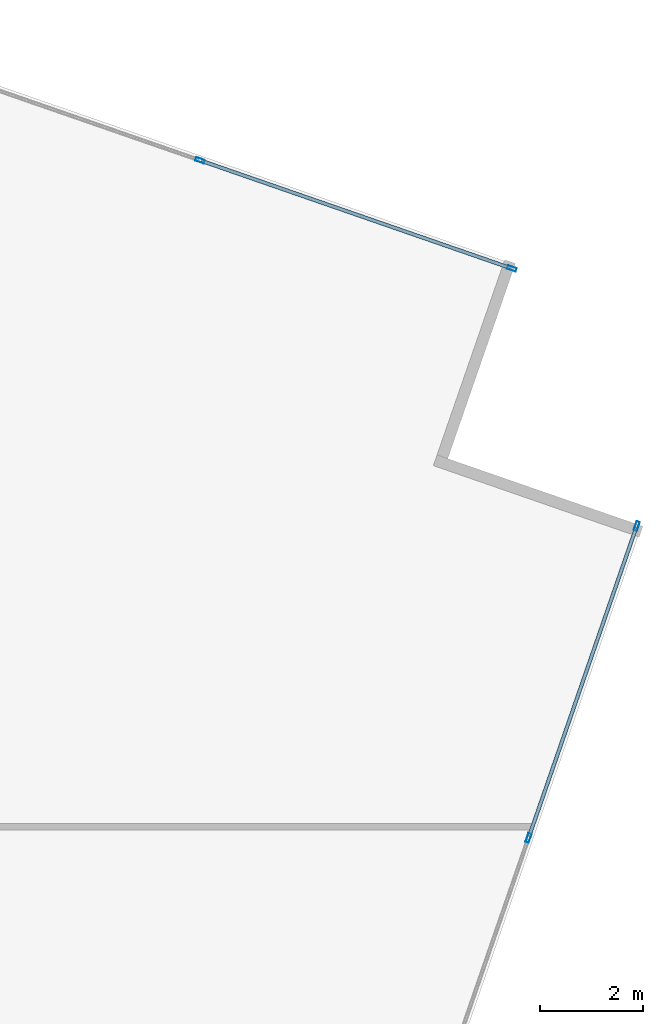
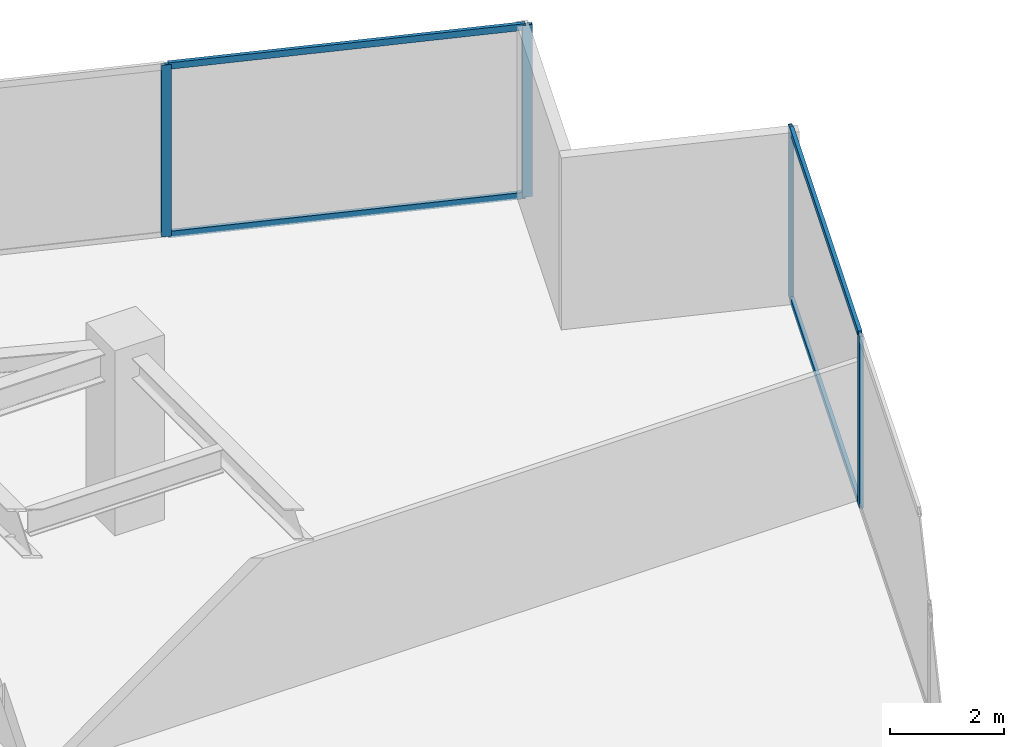
# One storey, part 20 of 27: 8 members, 2 elements without a shape of their own.
"""IFC4 building model written with IfcOpenShell, lengths in metres."""

from ifc_helpers import new_model, si_unit, direction, frame, origin, origin_2d, place, context, subcontext, project, spatial, hollow_rectangle, extrude, source, transform, mapped, material, material_profile, profile_set, type_object, type_shapes, element, aggregate, save


model = new_model("IFC4")

# Units and contexts
model_context = context("Model", 3, precision=1e-05, world=origin(), true_north=direction((0.0, 1.0)))
body_context = subcontext(model_context, "Body", "Model", "MODEL_VIEW")
ifc_project = project(units=[si_unit("LENGTHUNIT", "METRE"), si_unit("AREAUNIT", "SQUARE_METRE"), si_unit("VOLUMEUNIT", "CUBIC_METRE"), si_unit("PLANEANGLEUNIT", "RADIAN"), si_unit("MASSUNIT", "GRAM", prefix="KILO")], contexts=[model_context])

# Site, building, storey
site_placement = place(None, origin())
site = spatial("IfcSite", under=ifc_project, at=site_placement, CompositionType="ELEMENT")
building_placement = place(site_placement, origin())
building = spatial("IfcBuilding", under=site, at=building_placement, Name="Krantzveldt Concourse Tower", CompositionType="ELEMENT")
storey_placement = place(building_placement, frame((0.0, 0.0, 121.64990234375)))
storey = spatial("IfcBuildingStorey", under=building, at=storey_placement, Name="L29", CompositionType="ELEMENT", Elevation=121.64990234375)

# Curtain wall, members
ifc_material = material(Name="Anodised aluminium 6063-T6", Category="aluminium")
curtain_wall_type = type_object("IfcCurtainWallType", Name="CW2", PredefinedType="USERDEFINED", material=ifc_material)
curtain_wall_1_placement = place(storey_placement, origin())
curtain_wall_1 = element("IfcCurtainWall", 1, at=curtain_wall_1_placement, inside=storey, type_object=curtain_wall_type, Name="CW-L29-F07", ObjectType="UNITISED CURTAIN WALL", PredefinedType="USERDEFINED")
ifc_material_profile_1 = material_profile(ifc_material, hollow_rectangle(XDim=0.070068359375, YDim=0.179931640625, WallThickness=0.0048828125, at=origin_2d()), Name="Anodised aluminium 6063-T6", Category="aluminium")
ifc_profile_set_1 = profile_set([ifc_material_profile_1], Name="Anodised aluminium 6063-T6 - ALU-MULL 180x70x5")
member_type_1 = type_object("IfcMemberType", Name="CW-MUL-180", PredefinedType="MULLION", material=ifc_profile_set_1)
shared_shape_1 = source(origin(), body_context, "Body", "SweptSolid", [
    extrude(hollow_rectangle(XDim=0.070068359375, YDim=0.179931640625, WallThickness=0.0048828125, at=origin_2d()), origin(), (0.0, 0.0, 1.0), 3.670166015625),
])
type_shapes(member_type_1, [shared_shape_1])
member_1_placement = place(storey_placement, frame((62.2607421875, 31.282470703125, 0.0), z_axis=(0.0, 0.0, 1.0), x_axis=(-0.944806041446, 0.32763019404, 0.0)))
member_1 = element("IfcMember", 2, at=member_1_placement, type_object=member_type_1, Name="CW-Z12 mullion 6", PredefinedType="MULLION", context=body_context, shape_type="MappedRepresentation", body=[
    mapped(shared_shape_1, transform((0.0, 0.0, 0.0), x_axis=(1.0, 0.0, 0.0), y_axis=(0.0, 1.0, 0.0), z_axis=(0.0, 0.0, 1.0), scale=1.0)),
])
member_2_placement = place(storey_placement, frame((64.367919921875, 37.359130859375, 0.0), z_axis=(0.0, 0.0, 1.0), x_axis=(-0.944806041446, 0.32763019404, 0.0)))
member_2 = element("IfcMember", 3, at=member_2_placement, type_object=member_type_1, Name="CW-Z12 mullion 7", PredefinedType="MULLION", context=body_context, shape_type="MappedRepresentation", body=[
    mapped(shared_shape_1, transform((0.0, 0.0, 0.0), x_axis=(1.0, 0.0, 0.0), y_axis=(0.0, 1.0, 0.0), z_axis=(0.0, 0.0, 1.0), scale=1.0)),
])

curtain_wall_2_placement = place(storey_placement, origin())
curtain_wall_2 = element("IfcCurtainWall", 4, at=curtain_wall_2_placement, inside=storey, type_object=curtain_wall_type, Name="CW-L29-F10", ObjectType="UNITISED CURTAIN WALL", PredefinedType="USERDEFINED")
member_3_placement = place(storey_placement, frame((61.93310546875, 42.37890625, 0.0), z_axis=(0.0, 0.0, 1.0), x_axis=(-0.32763019404, -0.944806041446, 0.0)))
member_3 = element("IfcMember", 5, at=member_3_placement, type_object=member_type_1, Name="CW-Z12 mullion 1", PredefinedType="MULLION", context=body_context, shape_type="MappedRepresentation", body=[
    mapped(shared_shape_1, transform((0.0, 0.0, 0.0), x_axis=(1.0, 0.0, 0.0), y_axis=(0.0, 1.0, 0.0), z_axis=(0.0, 0.0, 1.0), scale=1.0)),
])
member_4_placement = place(storey_placement, frame((55.8564453125, 44.486083984375, 0.0), z_axis=(0.0, 0.0, 1.0), x_axis=(-0.32763019404, -0.944806041446, 0.0)))
member_4 = element("IfcMember", 6, at=member_4_placement, type_object=member_type_1, Name="CW-Z12 mullion 2", PredefinedType="MULLION", context=body_context, shape_type="MappedRepresentation", body=[
    mapped(shared_shape_1, transform((0.0, 0.0, 0.0), x_axis=(1.0, 0.0, 0.0), y_axis=(0.0, 1.0, 0.0), z_axis=(0.0, 0.0, 1.0), scale=1.0)),
])

# Member
ifc_material_profile_2 = material_profile(ifc_material, hollow_rectangle(XDim=0.070068359375, YDim=0.139892578125, WallThickness=0.0048828125, at=origin_2d()), Name="Anodised aluminium 6063-T6", Category="aluminium")
ifc_profile_set_2 = profile_set([ifc_material_profile_2], Name="Anodised aluminium 6063-T6 - ALU-TRAN 140x70x5")
member_type_2 = type_object("IfcMemberType", Name="CW-TRN-150", PredefinedType="USERDEFINED", material=ifc_profile_set_2)
shared_shape_2 = source(origin(), body_context, "Body", "SweptSolid", [
    extrude(hollow_rectangle(XDim=0.070068359375, YDim=0.139892578125, WallThickness=0.0048828125, at=origin_2d()), origin(), (0.0, 0.0, 1.0), 6.361572265625),
])
type_shapes(member_type_2, [shared_shape_2])
member_5_placement = place(storey_placement, frame((62.272216796875, 31.3154296875, 0.03515625), z_axis=(0.327625894764, 0.944807532294, 0.0), x_axis=(-0.944807532294, 0.327625894764, 0.0)))
member_5 = element("IfcMember", 7, at=member_5_placement, type_object=member_type_2, Name="CW-Z12 transom 6.1", ObjectType="TRANSOM", PredefinedType="USERDEFINED", context=body_context, shape_type="MappedRepresentation", body=[
    mapped(shared_shape_2, transform((0.0, 0.0, 0.0), x_axis=(1.0, 0.0, 0.0), y_axis=(0.0, 1.0, 0.0), z_axis=(0.0, 0.0, 1.0), scale=1.0)),
])

member_6_placement = place(storey_placement, frame((62.272216796875, 31.3154296875, 3.635009765625), z_axis=(0.327625894764, 0.944807532294, 0.0), x_axis=(-0.944807532294, 0.327625894764, 0.0)))
member_6 = element("IfcMember", 8, at=member_6_placement, type_object=member_type_2, Name="CW-Z12 transom 6.2", ObjectType="TRANSOM", PredefinedType="USERDEFINED", context=body_context, shape_type="MappedRepresentation", body=[
    mapped(shared_shape_2, transform((0.0, 0.0, 0.0), x_axis=(1.0, 0.0, 0.0), y_axis=(0.0, 1.0, 0.0), z_axis=(0.0, 0.0, 1.0), scale=1.0)),
])

aggregate(curtain_wall_1, [member_1, member_2, member_5, member_6])

member_7_placement = place(storey_placement, frame((61.900146484375, 42.390380859375, 0.03515625), z_axis=(-0.944807532294, 0.327625894764, 0.0), x_axis=(-0.327625894764, -0.944807532294, 0.0)))
member_7 = element("IfcMember", 9, at=member_7_placement, type_object=member_type_2, Name="CW-Z12 transom 1.1", ObjectType="TRANSOM", PredefinedType="USERDEFINED", context=body_context, shape_type="MappedRepresentation", body=[
    mapped(shared_shape_2, transform((0.0, 0.0, 0.0), x_axis=(1.0, 0.0, 0.0), y_axis=(0.0, 1.0, 0.0), z_axis=(0.0, 0.0, 1.0), scale=1.0)),
])

member_8_placement = place(storey_placement, frame((61.900146484375, 42.390380859375, 3.635009765625), z_axis=(-0.944807532294, 0.327625894764, 0.0), x_axis=(-0.327625894764, -0.944807532294, 0.0)))
member_8 = element("IfcMember", 10, at=member_8_placement, type_object=member_type_2, Name="CW-Z12 transom 1.2", ObjectType="TRANSOM", PredefinedType="USERDEFINED", context=body_context, shape_type="MappedRepresentation", body=[
    mapped(shared_shape_2, transform((0.0, 0.0, 0.0), x_axis=(1.0, 0.0, 0.0), y_axis=(0.0, 1.0, 0.0), z_axis=(0.0, 0.0, 1.0), scale=1.0)),
])

aggregate(curtain_wall_2, [member_3, member_4, member_7, member_8])

save(model, "model.ifc")
